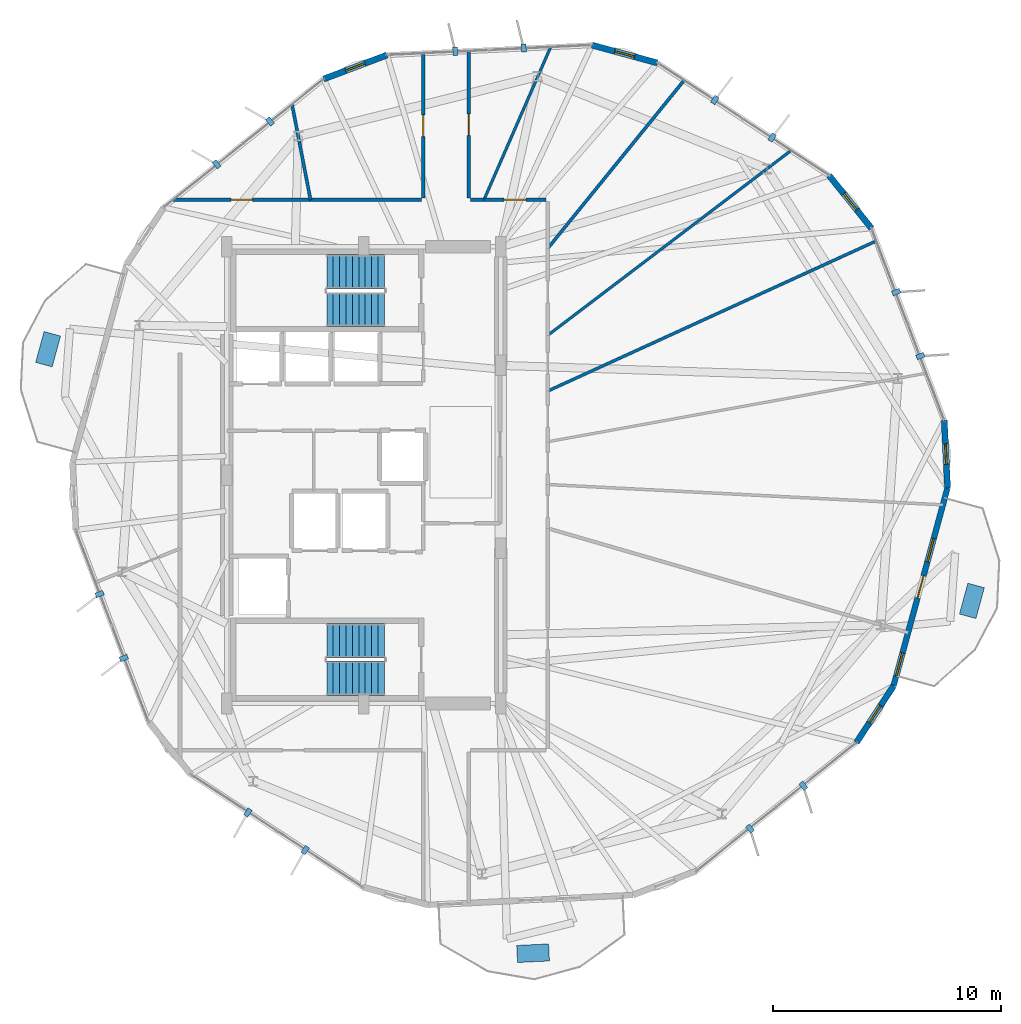
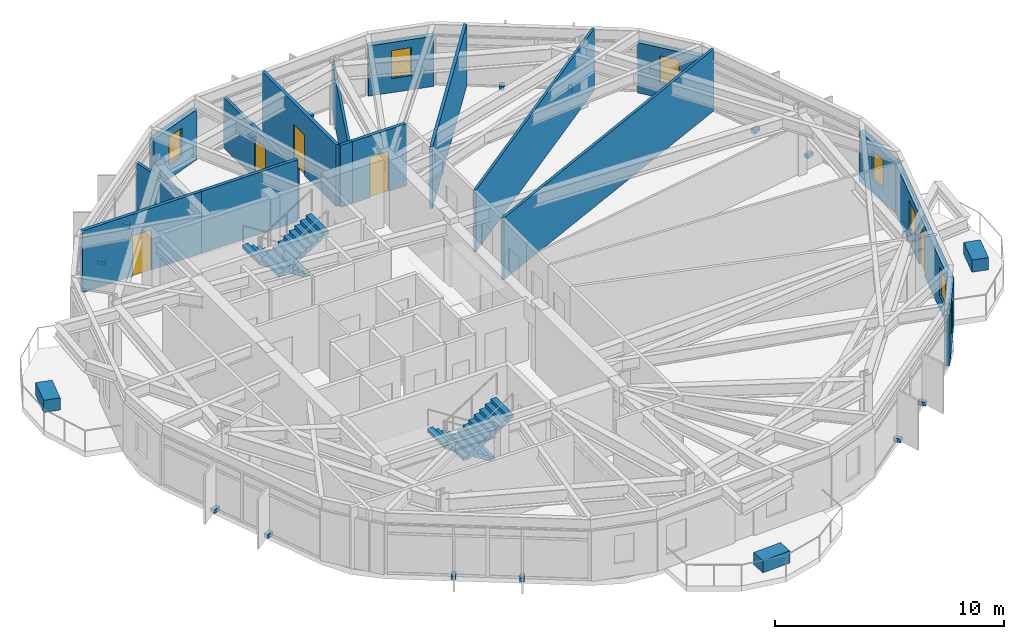
# One storey, part 20 of 23: 17 discrete accessories, 17 walls, 7 windows, 5 doors, 4 stair flights, 12 openings, 2 elements without a shape of their own.
"""IFC4 building model written with IfcOpenShell, lengths in metres."""

from ifc_helpers import new_model, si_unit, direction, frame, frame_2d, origin, origin_2d, place, context, subcontext, project, spatial, polyline, rectangle, outline, extrude, material, layer, layer_set, type_object, element, fill, aggregate, save


model = new_model("IFC4")

# Units and contexts
model_context = context("Model", 3, precision=1e-05, world=origin(), true_north=direction((0.0, 1.0)))
body_context = subcontext(model_context, "Body", "Model", "MODEL_VIEW")
ifc_project = project(units=[si_unit("LENGTHUNIT", "METRE"), si_unit("AREAUNIT", "SQUARE_METRE"), si_unit("VOLUMEUNIT", "CUBIC_METRE"), si_unit("PLANEANGLEUNIT", "RADIAN"), si_unit("MASSUNIT", "GRAM", prefix="KILO")], contexts=[model_context])

# Site, building, storey
site_placement = place(None, origin())
site = spatial("IfcSite", under=ifc_project, at=site_placement, CompositionType="ELEMENT")
building_placement = place(site_placement, origin())
building = spatial("IfcBuilding", under=site, at=building_placement, Name="Soratama Intermodal Tower", CompositionType="ELEMENT")
storey_placement = place(building_placement, frame((0.0, 0.0, 175.0)))
storey = spatial("IfcBuildingStorey", under=building, at=storey_placement, Name="L43", CompositionType="ELEMENT", Elevation=175.0)

# Wall, openings, door, windows
ifc_material_1 = material(Name="Concrete f'c 42 MPa", Category="concrete")
ifc_layer_1 = layer(ifc_material_1, 0.25)
ifc_layer_set_1 = layer_set([ifc_layer_1], Name="Concrete f'c 42 MPa")
wall_type_1 = type_object("IfcWallType", Name="EW-BAL-250", PredefinedType="SOLIDWALL", material=ifc_layer_set_1)
wall_1_placement = place(storey_placement, frame((61.79150390625, 15.7685546875, 0.0), z_axis=(0.0, 0.0, 1.0), x_axis=(0.262862214903, 0.964833382495, 0.0)))
wall_1 = element("IfcWall", 1, at=wall_1_placement, inside=storey, type_object=wall_type_1, Name="L43 Terrace Wall F09", PredefinedType="SOLIDWALL", context=body_context, shape_type="SweptSolid", body=[
    extrude(rectangle(XDim=8.98583984375, YDim=0.25, at=frame_2d((4.492919921875, 0.0))), origin(), (0.0, 0.0, 1.0), 2.678955078125),
])
opening_1_placement = place(wall_1_placement, frame((3.992919921875, 0.0, 0.0)))
opening_1 = element("IfcOpeningElement", 2, at=opening_1_placement, cuts=wall_1, Name="Opening ED-2", PredefinedType="OPENING", context=body_context, shape_type="SweptSolid", body=[
    extrude(rectangle(XDim=1.0, YDim=2.14990234375, at=frame_2d((0.5, 1.074951171875))), frame((0.0, 0.135009765625, 0.0), z_axis=(0.0, -1.0, 0.0), x_axis=(1.0, 0.0, 0.0)), (0.0, 0.0, 1.0), 0.27001953125),
])
opening_2_placement = place(wall_1_placement, frame((0.43994140625, 0.0, 0.719970703125)))
opening_2 = element("IfcOpeningElement", 3, at=opening_2_placement, cuts=wall_1, Name="Opening WN-5", PredefinedType="OPENING", context=body_context, shape_type="SweptSolid", body=[
    extrude(rectangle(XDim=1.050048828125, YDim=1.550048828125, at=frame_2d((0.52490234375, 0.77490234375))), frame((0.0, 0.135009765625, 0.0), z_axis=(0.0, -1.0, 0.0), x_axis=(1.0, 0.0, 0.0)), (0.0, 0.0, 1.0), 0.27001953125),
])
opening_3_placement = place(wall_1_placement, frame((5.6328125, 0.0, 0.719970703125)))
opening_3 = element("IfcOpeningElement", 4, at=opening_3_placement, cuts=wall_1, Name="Opening WN-5", PredefinedType="OPENING", context=body_context, shape_type="SweptSolid", body=[
    extrude(rectangle(XDim=1.050048828125, YDim=1.550048828125, at=frame_2d((0.52490234375, 0.77490234375))), frame((0.0, 0.135009765625, 0.0), z_axis=(0.0, -1.0, 0.0), x_axis=(1.0, 0.0, 0.0)), (0.0, 0.0, 1.0), 0.27001953125),
])
ifc_material_2 = material(Name="Double-glazed aluminium door", Category="aluminium")
door_type_1 = type_object("IfcDoorType", Name="DR-BAL-1000", OperationType="NOTDEFINED", PredefinedType="DOOR", material=ifc_material_2)
door_1_placement = place(opening_1_placement, origin())
door_1 = element("IfcDoor", 5, at=door_1_placement, inside=storey, type_object=door_type_1, Name="L43 Balcony Door F09", OperationType="SINGLE_SWING_LEFT", OverallHeight=2.14990234375, OverallWidth=1.0, PredefinedType="DOOR", context=body_context, shape_type="SweptSolid", body=[
    extrude(rectangle(XDim=1.0, YDim=2.14990234375, at=frame_2d((0.5, 1.074951171875))), frame((0.0, 0.02490234375, 0.0), z_axis=(0.0, -1.0, 0.0), x_axis=(1.0, 0.0, 0.0)), (0.0, 0.0, 1.0), 0.050048828125),
])
fill(opening_1, door_1)
ifc_material_3 = material(Name="Double-glazed aluminium window", Category="aluminium")
window_type_1 = type_object("IfcWindowType", Name="WN-FAC-1050", PartitioningType="SINGLE_PANEL", PredefinedType="WINDOW", material=ifc_material_3)
window_1_placement = place(opening_2_placement, origin())
window_1 = element("IfcWindow", 6, at=window_1_placement, inside=storey, type_object=window_type_1, Name="L43 Window A F09", OverallHeight=1.550048828125, OverallWidth=1.050048828125, PartitioningType="SINGLE_PANEL", PredefinedType="WINDOW", context=body_context, shape_type="SweptSolid", body=[
    extrude(rectangle(XDim=1.050048828125, YDim=1.550048828125, at=frame_2d((0.52490234375, 0.77490234375))), frame((0.0, 0.030029296875, 0.0), z_axis=(0.0, -1.0, 0.0), x_axis=(1.0, 0.0, 0.0)), (0.0, 0.0, 1.0), 0.06005859375),
])
fill(opening_2, window_1)
window_2_placement = place(opening_3_placement, origin())
window_2 = element("IfcWindow", 7, at=window_2_placement, inside=storey, type_object=window_type_1, Name="L43 Window B F09", OverallHeight=1.550048828125, OverallWidth=1.050048828125, PartitioningType="SINGLE_PANEL", PredefinedType="WINDOW", context=body_context, shape_type="SweptSolid", body=[
    extrude(rectangle(XDim=1.050048828125, YDim=1.550048828125, at=frame_2d((0.52490234375, 0.77490234375))), frame((0.0, 0.030029296875, 0.0), z_axis=(0.0, -1.0, 0.0), x_axis=(1.0, 0.0, 0.0)), (0.0, 0.0, 1.0), 0.06005859375),
])
fill(opening_3, window_2)

# Wall, opening, window
ifc_material_4 = material(Name="Concrete f'c 42 MPa", Category="concrete")
ifc_layer_2 = layer(ifc_material_4, 0.27001953125)
ifc_layer_set_2 = layer_set([ifc_layer_2], Name="Concrete f'c 42 MPa")
wall_type_2 = type_object("IfcWallType", Name="EW-CRN-270", PredefinedType="SOLIDWALL", material=ifc_layer_set_2)
wall_2_placement = place(storey_placement, frame((51.452880859375, 43.04248046875, 0.0), z_axis=(0.0, 0.0, 1.0), x_axis=(-0.964809388606, 0.262950268412, 0.0)))
wall_2 = element("IfcWall", 8, at=wall_2_placement, inside=storey, type_object=wall_type_2, Name="L43 Corner Closure Wall 01", PredefinedType="SOLIDWALL", context=body_context, shape_type="SweptSolid", body=[
    extrude(rectangle(XDim=2.966552734375, YDim=0.27001953125, at=frame_2d((1.4833984375, 0.0))), origin(), (0.0, 0.0, 1.0), 2.678955078125),
])
opening_4_placement = place(wall_2_placement, frame((1.033203125, 0.0, 0.75)))
opening_4 = element("IfcOpeningElement", 9, at=opening_4_placement, cuts=wall_2, Name="Opening WN-6", PredefinedType="OPENING", context=body_context, shape_type="SweptSolid", body=[
    extrude(rectangle(XDim=0.89990234375, YDim=1.5, at=frame_2d((0.449951171875, 0.75))), frame((0.0, 0.14501953125, 0.0), z_axis=(0.0, -1.0, 0.0), x_axis=(1.0, 0.0, 0.0)), (0.0, 0.0, 1.0), 0.2900390625),
])
ifc_material_5 = material(Name="Double-glazed aluminium window", Category="aluminium")
window_type_2 = type_object("IfcWindowType", Name="WN-FAC-900", PartitioningType="SINGLE_PANEL", PredefinedType="WINDOW", material=ifc_material_5)
window_3_placement = place(opening_4_placement, origin())
window_3 = element("IfcWindow", 10, at=window_3_placement, inside=storey, type_object=window_type_2, Name="L43 Corner Window 01", OverallHeight=1.5, OverallWidth=0.89990234375, PartitioningType="SINGLE_PANEL", PredefinedType="WINDOW", context=body_context, shape_type="SweptSolid", body=[
    extrude(rectangle(XDim=0.89990234375, YDim=1.5, at=frame_2d((0.449951171875, 0.75))), frame((0.0, 0.030029296875, 0.0), z_axis=(0.0, -1.0, 0.0), x_axis=(1.0, 0.0, 0.0)), (0.0, 0.0, 1.0), 0.06005859375),
])
fill(opening_4, window_3)

wall_3_placement = place(storey_placement, frame((39.615478515625, 43.3896484375, 0.0), z_axis=(0.0, 0.0, 1.0), x_axis=(-0.935082186691, -0.354430958204, 0.0)))
wall_3 = element("IfcWall", 11, at=wall_3_placement, inside=storey, type_object=wall_type_2, Name="L43 Corner Closure Wall 02", PredefinedType="SOLIDWALL", context=body_context, shape_type="SweptSolid", body=[
    extrude(rectangle(XDim=2.966796875, YDim=0.27001953125, at=frame_2d((1.4833984375, 0.0))), origin(), (0.0, 0.0, 1.0), 2.678955078125),
])
opening_5_placement = place(wall_3_placement, frame((1.033203125, 0.0, 0.75)))
opening_5 = element("IfcOpeningElement", 12, at=opening_5_placement, cuts=wall_3, Name="Opening WN-6", PredefinedType="OPENING", context=body_context, shape_type="SweptSolid", body=[
    extrude(rectangle(XDim=0.89990234375, YDim=1.5, at=frame_2d((0.449951171875, 0.75))), frame((0.0, 0.14501953125, 0.0), z_axis=(0.0, -1.0, 0.0), x_axis=(1.0, 0.0, 0.0)), (0.0, 0.0, 1.0), 0.2900390625),
])
window_4_placement = place(opening_5_placement, origin())
window_4 = element("IfcWindow", 13, at=window_4_placement, inside=storey, type_object=window_type_2, Name="L43 Corner Window 02", OverallHeight=1.5, OverallWidth=0.89990234375, PartitioningType="SINGLE_PANEL", PredefinedType="WINDOW", context=body_context, shape_type="SweptSolid", body=[
    extrude(rectangle(XDim=0.89990234375, YDim=1.5, at=frame_2d((0.449951171875, 0.75))), frame((0.0, 0.030029296875, 0.0), z_axis=(0.0, -1.0, 0.0), x_axis=(1.0, 0.0, 0.0)), (0.0, 0.0, 1.0), 0.06005859375),
])
fill(opening_5, window_4)

wall_4_placement = place(storey_placement, frame((60.16552734375, 13.287353515625, 0.0), z_axis=(0.0, 0.0, 1.0), x_axis=(0.548111634579, 0.836405186521, 0.0)))
wall_4 = element("IfcWall", 14, at=wall_4_placement, inside=storey, type_object=wall_type_2, Name="L43 Corner Closure Wall 08", PredefinedType="SOLIDWALL", context=body_context, shape_type="SweptSolid", body=[
    extrude(rectangle(XDim=2.966552734375, YDim=0.27001953125, at=frame_2d((1.4833984375, 0.0))), origin(), (0.0, 0.0, 1.0), 2.678955078125),
])
opening_6_placement = place(wall_4_placement, frame((1.033203125, 0.0, 0.75)))
opening_6 = element("IfcOpeningElement", 15, at=opening_6_placement, cuts=wall_4, Name="Opening WN-6", PredefinedType="OPENING", context=body_context, shape_type="SweptSolid", body=[
    extrude(rectangle(XDim=0.89990234375, YDim=1.5, at=frame_2d((0.449951171875, 0.75))), frame((0.0, 0.14501953125, 0.0), z_axis=(0.0, -1.0, 0.0), x_axis=(1.0, 0.0, 0.0)), (0.0, 0.0, 1.0), 0.2900390625),
])
window_5_placement = place(opening_6_placement, origin())
window_5 = element("IfcWindow", 16, at=window_5_placement, inside=storey, type_object=window_type_2, Name="L43 Corner Window 08", OverallHeight=1.5, OverallWidth=0.89990234375, PartitioningType="SINGLE_PANEL", PredefinedType="WINDOW", context=body_context, shape_type="SweptSolid", body=[
    extrude(rectangle(XDim=0.89990234375, YDim=1.5, at=frame_2d((0.449951171875, 0.75))), frame((0.0, 0.030029296875, 0.0), z_axis=(0.0, -1.0, 0.0), x_axis=(1.0, 0.0, 0.0)), (0.0, 0.0, 1.0), 0.06005859375),
])
fill(opening_6, window_5)

wall_5_placement = place(storey_placement, frame((64.153564453125, 24.4384765625, 0.0), z_axis=(0.0, 0.0, 1.0), x_axis=(-0.048143828125, 0.998840413586, 0.0)))
wall_5 = element("IfcWall", 17, at=wall_5_placement, inside=storey, type_object=wall_type_2, Name="L43 Corner Closure Wall 09", PredefinedType="SOLIDWALL", context=body_context, shape_type="SweptSolid", body=[
    extrude(rectangle(XDim=2.966552734375, YDim=0.27001953125, at=frame_2d((1.4833984375, 0.0))), origin(), (0.0, 0.0, 1.0), 2.678955078125),
])
opening_7_placement = place(wall_5_placement, frame((1.033203125, 0.0, 0.75)))
opening_7 = element("IfcOpeningElement", 18, at=opening_7_placement, cuts=wall_5, Name="Opening WN-6", PredefinedType="OPENING", context=body_context, shape_type="SweptSolid", body=[
    extrude(rectangle(XDim=0.89990234375, YDim=1.5, at=frame_2d((0.449951171875, 0.75))), frame((0.0, 0.14501953125, 0.0), z_axis=(0.0, -1.0, 0.0), x_axis=(1.0, 0.0, 0.0)), (0.0, 0.0, 1.0), 0.2900390625),
])
window_6_placement = place(opening_7_placement, origin())
window_6 = element("IfcWindow", 19, at=window_6_placement, inside=storey, type_object=window_type_2, Name="L43 Corner Window 09", OverallHeight=1.5, OverallWidth=0.89990234375, PartitioningType="SINGLE_PANEL", PredefinedType="WINDOW", context=body_context, shape_type="SweptSolid", body=[
    extrude(rectangle(XDim=0.89990234375, YDim=1.5, at=frame_2d((0.449951171875, 0.75))), frame((0.0, 0.030029296875, 0.0), z_axis=(0.0, -1.0, 0.0), x_axis=(1.0, 0.0, 0.0)), (0.0, 0.0, 1.0), 0.06005859375),
])
fill(opening_7, window_6)

wall_6_placement = place(storey_placement, frame((60.82568359375, 35.8037109375, 0.0), z_axis=(0.0, 0.0, 1.0), x_axis=(-0.626008855635, 0.779815947943, 0.0)))
wall_6 = element("IfcWall", 20, at=wall_6_placement, inside=storey, type_object=wall_type_2, Name="L43 Corner Closure Wall 10", PredefinedType="SOLIDWALL", context=body_context, shape_type="SweptSolid", body=[
    extrude(rectangle(XDim=2.966796875, YDim=0.27001953125, at=frame_2d((1.4833984375, 0.0))), origin(), (0.0, 0.0, 1.0), 2.678955078125),
])
opening_8_placement = place(wall_6_placement, frame((1.033203125, 0.0, 0.75)))
opening_8 = element("IfcOpeningElement", 21, at=opening_8_placement, cuts=wall_6, Name="Opening WN-6", PredefinedType="OPENING", context=body_context, shape_type="SweptSolid", body=[
    extrude(rectangle(XDim=0.89990234375, YDim=1.5, at=frame_2d((0.449951171875, 0.75))), frame((0.0, 0.14501953125, 0.0), z_axis=(0.0, -1.0, 0.0), x_axis=(1.0, 0.0, 0.0)), (0.0, 0.0, 1.0), 0.2900390625),
])
window_7_placement = place(opening_8_placement, origin())
window_7 = element("IfcWindow", 22, at=window_7_placement, inside=storey, type_object=window_type_2, Name="L43 Corner Window 10", OverallHeight=1.5, OverallWidth=0.89990234375, PartitioningType="SINGLE_PANEL", PredefinedType="WINDOW", context=body_context, shape_type="SweptSolid", body=[
    extrude(rectangle(XDim=0.89990234375, YDim=1.5, at=frame_2d((0.449951171875, 0.75))), frame((0.0, 0.030029296875, 0.0), z_axis=(0.0, -1.0, 0.0), x_axis=(1.0, 0.0, 0.0)), (0.0, 0.0, 1.0), 0.06005859375),
])
fill(opening_8, window_7)

# Wall, opening, door
ifc_material_6 = material(Name="Fire-rated gypsum stud partition", Category="concrete")
ifc_layer_3 = layer(ifc_material_6, 0.159912109375)
ifc_layer_set_3 = layer_set([ifc_layer_3], Name="Fire-rated gypsum stud partition")
wall_type_3 = type_object("IfcWallType", Name="IW-PART-R160", PredefinedType="PARTITIONING", material=ifc_layer_set_3)
wall_7_placement = place(storey_placement, frame((43.199951171875, 43.56298828125, 0.0), z_axis=(0.0, 0.0, 1.0), x_axis=(0.0, -1.0, 0.0)))
wall_7 = element("IfcWall", 23, at=wall_7_placement, inside=storey, type_object=wall_type_3, Name="L43 Partition W-L43-TP014", PredefinedType="PARTITIONING", context=body_context, shape_type="SweptSolid", body=[
    extrude(rectangle(XDim=6.44287109375, YDim=0.159912109375, at=frame_2d((3.221435546875, 0.0))), origin(), (0.0, 0.0, 1.0), 3.300048828125),
])
opening_9_placement = place(wall_7_placement, frame((2.7470703125, 0.0, 0.0)))
opening_9 = element("IfcOpeningElement", 24, at=opening_9_placement, cuts=wall_7, Name="Opening ID-3", PredefinedType="OPENING", context=body_context, shape_type="SweptSolid", body=[
    extrude(rectangle(XDim=0.949951171875, YDim=2.14990234375, at=frame_2d((0.47509765625, 1.074951171875))), frame((0.0, 0.08984375, 0.0), z_axis=(0.0, -1.0, 0.0), x_axis=(1.0, 0.0, 0.0)), (0.0, 0.0, 1.0), 0.179931640625),
])
ifc_material_7 = material(Name="Solid hardwood acoustic door", Category="wood")
door_type_2 = type_object("IfcDoorType", Name="DR-ROOM-950", OperationType="NOTDEFINED", PredefinedType="DOOR", material=ifc_material_7)
door_2_placement = place(opening_9_placement, origin())
door_2 = element("IfcDoor", 25, at=door_2_placement, inside=storey, type_object=door_type_2, Name="L43 Door D-L43-TP004", OperationType="SINGLE_SWING_LEFT", OverallHeight=2.14990234375, OverallWidth=0.949951171875, PredefinedType="DOOR", context=body_context, shape_type="SweptSolid", body=[
    extrude(rectangle(XDim=0.949951171875, YDim=2.14990234375, at=frame_2d((0.47509765625, 1.074951171875))), frame((0.0, 0.02490234375, 0.0), z_axis=(0.0, -1.0, 0.0), x_axis=(1.0, 0.0, 0.0)), (0.0, 0.0, 1.0), 0.050048828125),
])
fill(opening_9, door_2)

wall_8_placement = place(storey_placement, frame((41.199951171875, 37.1201171875, 0.0), z_axis=(0.0, 0.0, 1.0), x_axis=(0.0, 1.0, 0.0)))
wall_8 = element("IfcWall", 26, at=wall_8_placement, inside=storey, type_object=wall_type_3, Name="L43 Partition W-L43-TP015", PredefinedType="PARTITIONING", context=body_context, shape_type="SweptSolid", body=[
    extrude(rectangle(XDim=6.345947265625, YDim=0.159912109375, at=frame_2d((3.1728515625, 0.0))), origin(), (0.0, 0.0, 1.0), 2.677978515625),
])
opening_10_placement = place(wall_8_placement, frame((2.697998046875, 0.0, 0.0)))
opening_10 = element("IfcOpeningElement", 27, at=opening_10_placement, cuts=wall_8, Name="Opening ID-3", PredefinedType="OPENING", context=body_context, shape_type="SweptSolid", body=[
    extrude(rectangle(XDim=0.949951171875, YDim=2.14990234375, at=frame_2d((0.47509765625, 1.074951171875))), frame((0.0, 0.08984375, 0.0), z_axis=(0.0, -1.0, 0.0), x_axis=(1.0, 0.0, 0.0)), (0.0, 0.0, 1.0), 0.179931640625),
])
door_3_placement = place(opening_10_placement, origin())
door_3 = element("IfcDoor", 28, at=door_3_placement, inside=storey, type_object=door_type_2, Name="L43 Door D-L43-TP005", OperationType="SINGLE_SWING_RIGHT", OverallHeight=2.14990234375, OverallWidth=0.949951171875, PredefinedType="DOOR", context=body_context, shape_type="SweptSolid", body=[
    extrude(rectangle(XDim=0.949951171875, YDim=2.14990234375, at=frame_2d((0.47509765625, 1.074951171875))), frame((0.0, 0.02490234375, 0.0), z_axis=(0.0, -1.0, 0.0), x_axis=(1.0, 0.0, 0.0)), (0.0, 0.0, 1.0), 0.050048828125),
])
fill(opening_10, door_3)

wall_9_placement = place(storey_placement, frame((30.2548828125, 37.050048828125, 0.0), z_axis=(0.0, 0.0, 1.0), x_axis=(1.0, 0.0, 0.0)))
wall_9 = element("IfcWall", 29, at=wall_9_placement, inside=storey, type_object=wall_type_3, Name="L43 Partition W-L43-TP016", PredefinedType="PARTITIONING", context=body_context, shape_type="SweptSolid", body=[
    extrude(rectangle(XDim=6.01220703125, YDim=0.159912109375, at=frame_2d((3.006103515625, 0.0))), origin(), (0.0, 0.0, 1.0), 3.300048828125),
])
opening_11_placement = place(wall_9_placement, frame((2.531005859375, 0.0, 0.0)))
opening_11 = element("IfcOpeningElement", 30, at=opening_11_placement, cuts=wall_9, Name="Opening ID-3", PredefinedType="OPENING", context=body_context, shape_type="SweptSolid", body=[
    extrude(rectangle(XDim=0.949951171875, YDim=2.14990234375, at=frame_2d((0.47509765625, 1.074951171875))), frame((0.0, 0.08984375, 0.0), z_axis=(0.0, -1.0, 0.0), x_axis=(1.0, 0.0, 0.0)), (0.0, 0.0, 1.0), 0.179931640625),
])
door_4_placement = place(opening_11_placement, origin())
door_4 = element("IfcDoor", 31, at=door_4_placement, inside=storey, type_object=door_type_2, Name="L43 Door D-L43-TP006", OperationType="SINGLE_SWING_LEFT", OverallHeight=2.14990234375, OverallWidth=0.949951171875, PredefinedType="DOOR", context=body_context, shape_type="SweptSolid", body=[
    extrude(rectangle(XDim=0.949951171875, YDim=2.14990234375, at=frame_2d((0.47509765625, 1.074951171875))), frame((0.0, 0.02490234375, 0.0), z_axis=(0.0, -1.0, 0.0), x_axis=(1.0, 0.0, 0.0)), (0.0, 0.0, 1.0), 0.050048828125),
])
fill(opening_11, door_4)

# Wall
wall_10_placement = place(storey_placement, frame((36.26708984375, 37.050048828125, 0.0), z_axis=(0.0, 0.0, 1.0), x_axis=(1.0, 0.0, 0.0)))
element("IfcWall", 32, at=wall_10_placement, inside=storey, type_object=wall_type_3, Name="L43 Partition W-L43-TP017", PredefinedType="PARTITIONING", context=body_context, shape_type="SweptSolid", body=[
    extrude(rectangle(XDim=4.86279296875, YDim=0.159912109375, at=frame_2d((2.431396484375, 0.0))), origin(), (0.0, 0.0, 1.0), 3.300048828125),
])

# Wall, opening, door
wall_11_placement = place(storey_placement, frame((43.860107421875, 37.050048828125, 0.0), z_axis=(0.0, 0.0, 1.0), x_axis=(1.0, 0.0, 0.0)))
wall_11 = element("IfcWall", 33, at=wall_11_placement, inside=storey, type_object=wall_type_3, Name="L43 Partition W-L43-TP025", PredefinedType="PARTITIONING", context=body_context, shape_type="SweptSolid", body=[
    extrude(rectangle(XDim=2.719970703125, YDim=0.159912109375, at=frame_2d((1.35986328125, 0.0))), origin(), (0.0, 0.0, 1.0), 3.300048828125),
])
opening_12_placement = place(wall_11_placement, frame((0.885009765625, 0.0, 0.0)))
opening_12 = element("IfcOpeningElement", 34, at=opening_12_placement, cuts=wall_11, Name="Opening ID-3", PredefinedType="OPENING", context=body_context, shape_type="SweptSolid", body=[
    extrude(rectangle(XDim=0.949951171875, YDim=2.14990234375, at=frame_2d((0.47509765625, 1.074951171875))), frame((0.0, 0.08984375, 0.0), z_axis=(0.0, -1.0, 0.0), x_axis=(1.0, 0.0, 0.0)), (0.0, 0.0, 1.0), 0.179931640625),
])
door_5_placement = place(opening_12_placement, origin())
door_5 = element("IfcDoor", 35, at=door_5_placement, inside=storey, type_object=door_type_2, Name="L43 Door D-L43-TP011", OperationType="SINGLE_SWING_RIGHT", OverallHeight=2.14990234375, OverallWidth=0.949951171875, PredefinedType="DOOR", context=body_context, shape_type="SweptSolid", body=[
    extrude(rectangle(XDim=0.949951171875, YDim=2.14990234375, at=frame_2d((0.47509765625, 1.074951171875))), frame((0.0, 0.02490234375, 0.0), z_axis=(0.0, -1.0, 0.0), x_axis=(1.0, 0.0, 0.0)), (0.0, 0.0, 1.0), 0.050048828125),
])
fill(opening_12, door_5)

# Walls
wall_12_placement = place(storey_placement, frame((43.27001953125, 37.050048828125, 0.0), z_axis=(0.0, 0.0, 1.0), x_axis=(1.0, 0.0, 0.0)))
element("IfcWall", 36, at=wall_12_placement, inside=storey, type_object=wall_type_3, Name="L43 Partition W-L43-TP037", PredefinedType="PARTITIONING", context=body_context, shape_type="SweptSolid", body=[
    extrude(rectangle(XDim=0.590087890625, YDim=0.159912109375, at=frame_2d((0.294921875, 0.0))), origin(), (0.0, 0.0, 1.0), 3.300048828125),
])
ifc_material_8 = material(Name="Fire-rated gypsum stud partition", Category="concrete")
ifc_layer_4 = layer(ifc_material_8, 0.1201171875)
ifc_layer_set_4 = layer_set([ifc_layer_4], Name="Fire-rated gypsum stud partition")
wall_type_4 = type_object("IfcWallType", Name="IW-PART-S120", PredefinedType="PARTITIONING", material=ifc_layer_set_4)
wall_13_placement = place(storey_placement, frame((46.64990234375, 31.114990234375, 0.0), z_axis=(0.0, 0.0, 1.0), x_axis=(0.796308448029, 0.604890779892, 0.0)))
element("IfcWall", 37, at=wall_13_placement, inside=storey, type_object=wall_type_4, Name="L43 Partition W-L43-TP005", PredefinedType="PARTITIONING", context=body_context, shape_type="SweptSolid", body=[
    extrude(rectangle(XDim=13.37939453125, YDim=0.1201171875, at=frame_2d((6.689697265625, 0.0))), origin(), (0.0, 0.0, 1.0), 3.300048828125),
])
wall_14_placement = place(storey_placement, frame((43.860107421875, 37.050048828125, 0.0), z_axis=(0.0, 0.0, 1.0), x_axis=(0.400042607374, 0.91649654243, 0.0)))
element("IfcWall", 38, at=wall_14_placement, inside=storey, type_object=wall_type_4, Name="L43 Partition W-L43-TP010", PredefinedType="PARTITIONING", context=body_context, shape_type="SweptSolid", body=[
    extrude(rectangle(XDim=7.294189453125, YDim=0.1201171875, at=frame_2d((3.64697265625, 0.0))), origin(), (0.0, 0.0, 1.0), 2.594970703125),
])
ifc_material_9 = material(Name="Fire-rated gypsum stud partition", Category="concrete")
ifc_layer_5 = layer(ifc_material_9, 0.1298828125)
ifc_layer_set_5 = layer_set([ifc_layer_5], Name="Fire-rated gypsum stud partition")
wall_type_5 = type_object("IfcWallType", Name="IW-PART-S130", PredefinedType="PARTITIONING", material=ifc_layer_set_5)
wall_15_placement = place(storey_placement, frame((46.64990234375, 28.677001953125, 0.0), z_axis=(0.0, 0.0, 1.0), x_axis=(0.909580342223, 0.415528098979, 0.0)))
element("IfcWall", 39, at=wall_15_placement, inside=storey, type_object=wall_type_5, Name="L43 Partition W-L43-TP004", PredefinedType="PARTITIONING", context=body_context, shape_type="SweptSolid", body=[
    extrude(rectangle(XDim=15.816162109375, YDim=0.1298828125, at=frame_2d((7.908203125, 0.0))), origin(), (0.0, 0.0, 1.0), 3.300048828125),
])
ifc_material_10 = material(Name="Fire-rated gypsum stud partition", Category="concrete")
ifc_layer_6 = layer(ifc_material_10, 0.139892578125)
ifc_layer_set_6 = layer_set([ifc_layer_6], Name="Fire-rated gypsum stud partition")
wall_type_6 = type_object("IfcWallType", Name="IW-PART-S140", PredefinedType="PARTITIONING", material=ifc_layer_set_6)
wall_16_placement = place(storey_placement, frame((46.64990234375, 34.9208984375, 0.0), z_axis=(0.0, 0.0, 1.0), x_axis=(0.63011620338, 0.776500850121, 0.0)))
element("IfcWall", 40, at=wall_16_placement, inside=storey, type_object=wall_type_6, Name="L43 Partition W-L43-TP008", PredefinedType="PARTITIONING", context=body_context, shape_type="SweptSolid", body=[
    extrude(rectangle(XDim=9.474853515625, YDim=0.139892578125, at=frame_2d((4.7373046875, 0.0))), origin(), (0.0, 0.0, 1.0), 3.300048828125),
])
wall_17_placement = place(storey_placement, frame((36.26708984375, 37.050048828125, 0.0), z_axis=(0.0, 0.0, 1.0), x_axis=(-0.190164640644, 0.981752213875, 0.0)))
element("IfcWall", 41, at=wall_17_placement, inside=storey, type_object=wall_type_6, Name="L43 Partition W-L43-TP018", PredefinedType="PARTITIONING", context=body_context, shape_type="SweptSolid", body=[
    extrude(rectangle(XDim=4.254638671875, YDim=0.139892578125, at=frame_2d((2.12744140625, 0.0))), origin(), (0.0, 0.0, 1.0), 2.594970703125),
])

# Stair, stair flights
ifc_material_11 = material(Name="Concrete f'c 42 MPa", Category="concrete")
stair_type = type_object("IfcStairType", Name="ST-CORE-DOGLEG", PredefinedType="HALF_TURN_STAIR", material=ifc_material_11)
stair_1_placement = place(storey_placement, origin())
stair_1 = element("IfcStair", 42, at=stair_1_placement, inside=storey, type_object=stair_type, Name="L43 ST-1", PredefinedType="HALF_TURN_STAIR")
ifc_material_12 = material(Name="Precast concrete f'c 40 MPa", Category="concrete")
ifc_layer_7 = layer(ifc_material_12, 0.199951171875)
ifc_layer_set_7 = layer_set([ifc_layer_7], Name="Precast concrete f'c 40 MPa")
stair_flight_type = type_object("IfcStairFlightType", Name="SF-FLIGHT-RC", PredefinedType="STRAIGHT", material=ifc_layer_set_7)
stair_flight_1_placement = place(storey_placement, frame((39.5, 17.75, 0.0), z_axis=(0.0, 0.0, 1.0), x_axis=(-1.0, 0.0, 0.0)))
stair_flight_1 = element("IfcStairFlight", 43, at=stair_flight_1_placement, type_object=stair_flight_type, Name="ST-1 flight 1", NumberOfRisers=10, NumberOfTreads=9, PredefinedType="STRAIGHT", RiserHeight=0.18, TreadLength=0.28, context=body_context, shape_type="SweptSolid", body=[
    extrude(outline(polyline([(0.0, 0.0), (0.0, 0.179931640625), (0.280029296875, 0.179931640625), (0.280029296875, 0.360107421875), (0.56005859375, 0.360107421875), (0.56005859375, 0.5400390625), (0.840087890625, 0.5400390625), (0.840087890625, 0.719970703125), (1.1201171875, 0.719970703125), (1.1201171875, 0.89990234375), (1.39990234375, 0.89990234375), (1.39990234375, 1.080078125), (1.679931640625, 1.080078125), (1.679931640625, 1.260009765625), (1.9599609375, 1.260009765625), (1.9599609375, 1.43994140625), (2.239990234375, 1.43994140625), (2.239990234375, 1.6201171875), (2.52001953125, 1.6201171875), (2.52001953125, 1.800048828125), (2.52001953125, 1.44189453125), (0.277099609375, 0.0), (0.0, 0.0)])), frame((0.0, 0.75, 0.0), z_axis=(0.0, -1.0, 0.0), x_axis=(1.0, 0.0, 0.0)), (0.0, 0.0, 1.0), 1.5),
])
stair_flight_2_placement = place(storey_placement, frame((36.97998046875, 16.10009765625, 1.800048828125), z_axis=(0.0, 0.0, 1.0), x_axis=(1.0, 0.0, 0.0)))
stair_flight_2 = element("IfcStairFlight", 44, at=stair_flight_2_placement, type_object=stair_flight_type, Name="ST-1 flight 2", NumberOfRisers=10, NumberOfTreads=9, PredefinedType="STRAIGHT", RiserHeight=0.18, TreadLength=0.28, context=body_context, shape_type="SweptSolid", body=[
    extrude(outline(polyline([(0.0, 0.0), (0.0, 0.179931640625), (0.280029296875, 0.179931640625), (0.280029296875, 0.360107421875), (0.56005859375, 0.360107421875), (0.56005859375, 0.5400390625), (0.840087890625, 0.5400390625), (0.840087890625, 0.719970703125), (1.1201171875, 0.719970703125), (1.1201171875, 0.89990234375), (1.39990234375, 0.89990234375), (1.39990234375, 1.080078125), (1.679931640625, 1.080078125), (1.679931640625, 1.260009765625), (1.9599609375, 1.260009765625), (1.9599609375, 1.43994140625), (2.239990234375, 1.43994140625), (2.239990234375, 1.6201171875), (2.52001953125, 1.6201171875), (2.52001953125, 1.800048828125), (2.52001953125, 1.44189453125), (0.277099609375, 0.0), (0.0, 0.0)])), frame((0.0, 0.75, 0.0), z_axis=(0.0, -1.0, 0.0), x_axis=(1.0, 0.0, 0.0)), (0.0, 0.0, 1.0), 1.5),
])
aggregate(stair_1, [stair_flight_1, stair_flight_2])

stair_2_placement = place(storey_placement, origin())
stair_2 = element("IfcStair", 45, at=stair_2_placement, inside=storey, type_object=stair_type, Name="L43 ST-2", PredefinedType="HALF_TURN_STAIR")
stair_flight_3_placement = place(storey_placement, frame((39.5, 33.89990234375, 0.0), z_axis=(0.0, 0.0, 1.0), x_axis=(-1.0, 0.0, 0.0)))
stair_flight_3 = element("IfcStairFlight", 46, at=stair_flight_3_placement, type_object=stair_flight_type, Name="ST-2 flight 1", NumberOfRisers=10, NumberOfTreads=9, PredefinedType="STRAIGHT", RiserHeight=0.18, TreadLength=0.28, context=body_context, shape_type="SweptSolid", body=[
    extrude(outline(polyline([(0.0, 0.0), (0.0, 0.179931640625), (0.280029296875, 0.179931640625), (0.280029296875, 0.360107421875), (0.56005859375, 0.360107421875), (0.56005859375, 0.5400390625), (0.840087890625, 0.5400390625), (0.840087890625, 0.719970703125), (1.1201171875, 0.719970703125), (1.1201171875, 0.89990234375), (1.39990234375, 0.89990234375), (1.39990234375, 1.080078125), (1.679931640625, 1.080078125), (1.679931640625, 1.260009765625), (1.9599609375, 1.260009765625), (1.9599609375, 1.43994140625), (2.239990234375, 1.43994140625), (2.239990234375, 1.6201171875), (2.52001953125, 1.6201171875), (2.52001953125, 1.800048828125), (2.52001953125, 1.44189453125), (0.277099609375, 0.0), (0.0, 0.0)])), frame((0.0, 0.75, 0.0), z_axis=(0.0, -1.0, 0.0), x_axis=(1.0, 0.0, 0.0)), (0.0, 0.0, 1.0), 1.5),
])
stair_flight_4_placement = place(storey_placement, frame((36.97998046875, 32.25, 1.800048828125), z_axis=(0.0, 0.0, 1.0), x_axis=(1.0, 0.0, 0.0)))
stair_flight_4 = element("IfcStairFlight", 47, at=stair_flight_4_placement, type_object=stair_flight_type, Name="ST-2 flight 2", NumberOfRisers=10, NumberOfTreads=9, PredefinedType="STRAIGHT", RiserHeight=0.18, TreadLength=0.28, context=body_context, shape_type="SweptSolid", body=[
    extrude(outline(polyline([(0.0, 0.0), (0.0, 0.179931640625), (0.280029296875, 0.179931640625), (0.280029296875, 0.360107421875), (0.56005859375, 0.360107421875), (0.56005859375, 0.5400390625), (0.840087890625, 0.5400390625), (0.840087890625, 0.719970703125), (1.1201171875, 0.719970703125), (1.1201171875, 0.89990234375), (1.39990234375, 0.89990234375), (1.39990234375, 1.080078125), (1.679931640625, 1.080078125), (1.679931640625, 1.260009765625), (1.9599609375, 1.260009765625), (1.9599609375, 1.43994140625), (2.239990234375, 1.43994140625), (2.239990234375, 1.6201171875), (2.52001953125, 1.6201171875), (2.52001953125, 1.800048828125), (2.52001953125, 1.44189453125), (0.277099609375, 0.0), (0.0, 0.0)])), frame((0.0, 0.75, 0.0), z_axis=(0.0, -1.0, 0.0), x_axis=(1.0, 0.0, 0.0)), (0.0, 0.0, 1.0), 1.5),
])
aggregate(stair_2, [stair_flight_3, stair_flight_4])

# Discrete accessories
ifc_material_13 = material(Name="Structural steel ASTM A992 Grade 50", Category="steel")
discrete_accessory_type_1 = type_object("IfcDiscreteAccessoryType", Name="AC-FIN-BRACKET", PredefinedType="BRACKET", material=ifc_material_13)
for number, where, z_axis, x_axis, name in (
    (48, (56.474365234375, 39.775634765625, -0.080078125), (0.0, 0.0, 1.0), (0.548147261701, 0.836381838331, 0.0), "L43 Fin Bracket F01-1"),
    (49, (53.968994140625, 41.41748046875, -0.080078125), (0.0, 0.0, 1.0), (0.548147261701, 0.836381838331, 0.0), "L43 Fin Bracket F01-2"),
    (50, (45.597900390625, 43.697998046875, -0.080078125), (0.0, 0.0, 1.0), (-0.04815245972, 0.998839997509, 0.0), "L43 Fin Bracket F02-1"),
    (51, (42.606201171875, 43.553955078125, -0.080078125), (0.0, 0.0, 1.0), (-0.04815245972, 0.998839997509, 0.0), "L43 Fin Bracket F02-2"),
    (52, (34.4931640625, 40.478515625, -0.080078125), (0.0, 0.0, 1.0), (-0.62605957817, 0.779775226961, 0.0), "L43 Fin Bracket F03-1"),
    (53, (32.15771484375, 38.603515625, -0.080078125), (0.0, 0.0, 1.0), (-0.62605957817, 0.779775226961, 0.0), "L43 Fin Bracket F03-2"),
    (54, (27.0322265625, 19.79052734375, -0.080078125), (0.0, 0.0, 1.0), (-0.935073359992, -0.354454244484, 0.0), "L43 Fin Bracket F05-1"),
    (55, (28.093994140625, 16.989990234375, -0.080078125), (0.0, 0.0, 1.0), (-0.935073359992, -0.354454244484, 0.0), "L43 Fin Bracket F05-2"),
    (56, (33.525634765625, 10.224365234375, -0.080078125), (0.0, 0.0, 1.0), (-0.548147261701, -0.836381838331, 0.0), "L43 Fin Bracket F06-1"),
    (57, (36.031005859375, 8.58251953125, -0.080078125), (0.0, 0.0, 1.0), (-0.548147261701, -0.836381838331, 0.0), "L43 Fin Bracket F06-2"),
    (58, (55.5068359375, 9.521484375, -0.080078125), (0.0, 0.0, 1.0), (0.62605957817, -0.779775226961, 0.0), "L43 Fin Bracket F08-1"),
    (59, (57.84228515625, 11.396484375, -0.080078125), (0.0, 0.0, 1.0), (0.62605957817, -0.779775226961, 0.0), "L43 Fin Bracket F08-2"),
    (60, (62.9677734375, 30.20947265625, -0.080078125), (0.0, 0.0, 1.0), (0.935073359992, 0.354454244484, 0.0), "L43 Fin Bracket F10-1"),
    (61, (61.906005859375, 33.010009765625, -0.080078125), (0.0, 0.0, 1.0), (0.935073359992, 0.354454244484, 0.0), "L43 Fin Bracket F10-2"),
):
    element("IfcDiscreteAccessory", number, at=place(storey_placement, frame(where, z_axis=z_axis, x_axis=x_axis)), inside=storey, type_object=discrete_accessory_type_1, Name=name, PredefinedType="BRACKET", context=body_context, shape_type="SweptSolid", body=[
        extrude(rectangle(XDim=0.360107421875, YDim=0.219970703125, at=origin_2d()), origin(), (0.0, 0.0, 1.0), 0.199951171875),
    ])
ifc_material_14 = material(Name="Precast concrete f'c 40 MPa", Category="concrete")
discrete_accessory_type_2 = type_object("IfcDiscreteAccessoryType", Name="AC-PLANTER-TREE", PredefinedType="USERDEFINED", material=ifc_material_14)
for number, where, z_axis, x_axis, name in (
    (62, (65.220703125, 19.490966796875, 0.0), (0.0, 0.0, 1.0), (0.964833216741, -0.262862823299, 0.0), "L43 Tree Planter 1"),
    (63, (24.779296875, 30.509033203125, 0.0), (0.0, 0.0, 1.0), (-0.964833216741, 0.262862823299, 0.0), "L43 Tree Planter 2"),
    (64, (46.009033203125, 4.066650390625, 0.0), (0.0, 0.0, 1.0), (0.04815245972, -0.998839997509, 0.0), "L43 Tree Planter 3"),
):
    element("IfcDiscreteAccessory", number, at=place(storey_placement, frame(where, z_axis=z_axis, x_axis=x_axis)), inside=storey, type_object=discrete_accessory_type_2, Name=name, ObjectType="PLANTER", PredefinedType="USERDEFINED", context=body_context, shape_type="SweptSolid", body=[
        extrude(rectangle(XDim=0.75, YDim=1.39990234375, at=origin_2d()), origin(), (0.0, 0.0, 1.0), 0.64990234375),
    ])

save(model, "model.ifc")
